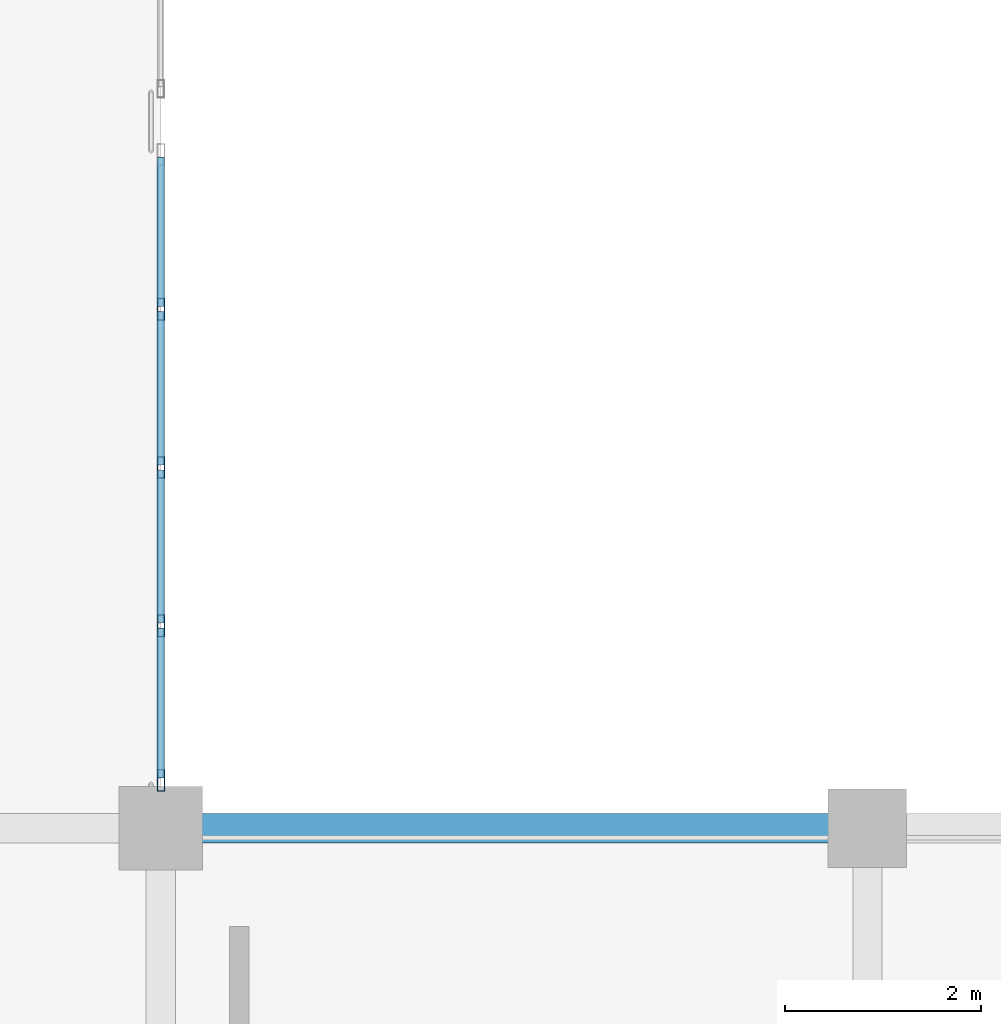
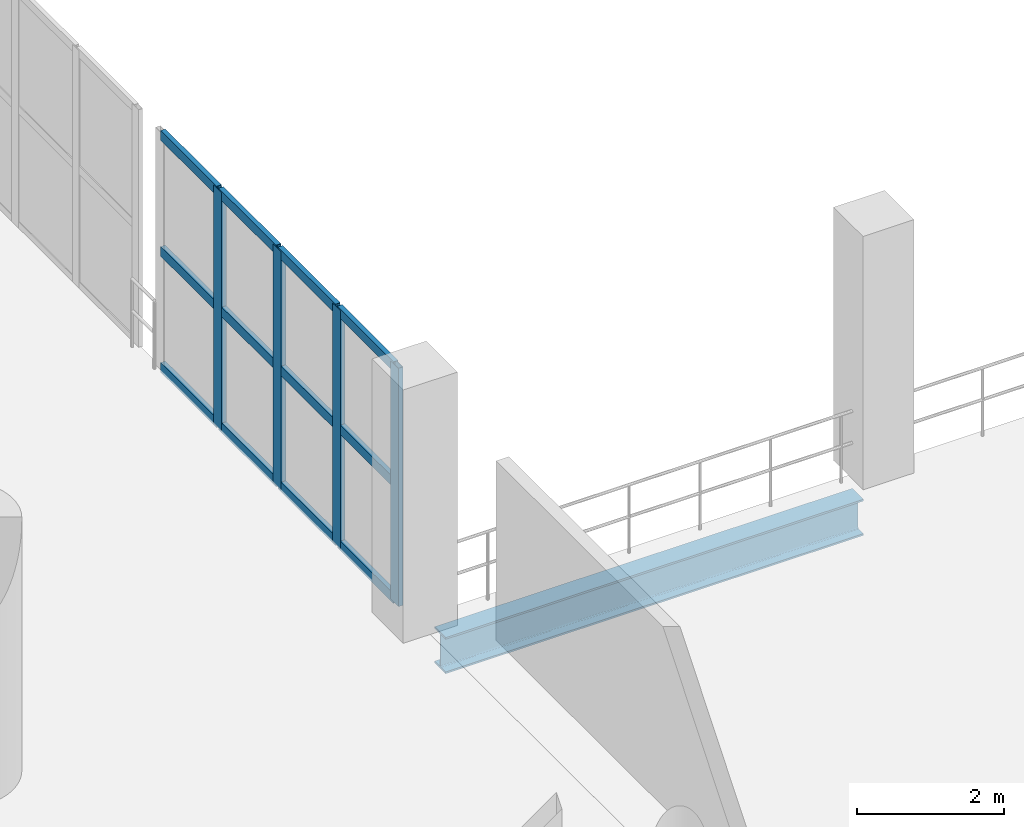
# One storey, part 40 of 153: 16 members, 1 beam, 1 element without a shape of its own.
"""IFC4 building model written with IfcOpenShell, lengths in metres."""

from ifc_helpers import new_model, si_unit, direction, frame, origin, origin_2d, place, context, subcontext, project, spatial, hollow_rectangle, i_section, extrude, material, material_profile, profile_set, type_object, element, aggregate, save


model = new_model("IFC4")

# Units and contexts
model_context = context("Model", 3, precision=1e-05, world=origin(), true_north=direction((0.0, 1.0)))
body_context = subcontext(model_context, "Body", "Model", "MODEL_VIEW")
ifc_project = project(units=[si_unit("LENGTHUNIT", "METRE"), si_unit("AREAUNIT", "SQUARE_METRE"), si_unit("VOLUMEUNIT", "CUBIC_METRE"), si_unit("PLANEANGLEUNIT", "RADIAN"), si_unit("MASSUNIT", "GRAM", prefix="KILO")], contexts=[model_context])

# Site, building, storey
site_placement = place(None, origin())
site = spatial("IfcSite", under=ifc_project, at=site_placement, CompositionType="ELEMENT")
building_placement = place(site_placement, origin())
building = spatial("IfcBuilding", under=site, at=building_placement, Name="Qandorah Velis Arena", CompositionType="ELEMENT")
storey_placement = place(building_placement, frame((0.0, 0.0, 5.39990234375)))
storey = spatial("IfcBuildingStorey", under=building, at=storey_placement, Name="L01", CompositionType="ELEMENT", Elevation=5.39990234375)

# Curtain wall, members
ifc_material_1 = material(Name="Solar-control low-E double glazing", Category="glass")
curtain_wall_type = type_object("IfcCurtainWallType", Name="ARC-CW-SYS09", PredefinedType="USERDEFINED", material=ifc_material_1)
curtain_wall_placement = place(storey_placement, origin())
curtain_wall = element("IfcCurtainWall", 1, at=curtain_wall_placement, inside=storey, type_object=curtain_wall_type, Name="Unitised curtain wall L01-105", ObjectType="UNITISED CURTAIN WALL", PredefinedType="USERDEFINED")
ifc_material_2 = material(Name="Champagne-bronze anodized aluminium 6063-T6", Category="aluminium")
ifc_material_profile_1 = material_profile(ifc_material_2, hollow_rectangle(XDim=0.074951171875, YDim=0.219970703125, WallThickness=0.00390625, at=origin_2d()), Name="ALU MULLION 75x220")
ifc_profile_set_1 = profile_set([ifc_material_profile_1], Name="Champagne-bronze anodized aluminium 6063-T6")
member_type_1 = type_object("IfcMemberType", Name="ARC-CWM-220", PredefinedType="MULLION", material=ifc_profile_set_1)
member_1_placement = place(storey_placement, frame((122.39990234375, 58.08740234375, -0.014892578125), z_axis=(0.0, 0.0, 1.0), x_axis=(-1.0, 0.0, 0.0)))
member_1 = element("IfcMember", 2, at=member_1_placement, type_object=member_type_1, Name="CW09 mullion 1", PredefinedType="MULLION", context=body_context, shape_type="SweptSolid", body=[
    extrude(hollow_rectangle(XDim=0.074951171875, YDim=0.219970703125, WallThickness=0.00390625, at=origin_2d()), origin(), (0.0, 0.0, 1.0), 3.949951171875),
])
member_2_placement = place(storey_placement, frame((122.39990234375, 59.66259765625, -0.014892578125), z_axis=(0.0, 0.0, 1.0), x_axis=(-1.0, 0.0, 0.0)))
member_2 = element("IfcMember", 3, at=member_2_placement, type_object=member_type_1, Name="CW09 mullion 2", PredefinedType="MULLION", context=body_context, shape_type="SweptSolid", body=[
    extrude(hollow_rectangle(XDim=0.074951171875, YDim=0.219970703125, WallThickness=0.00390625, at=origin_2d()), origin(), (0.0, 0.0, 1.0), 3.949951171875),
])
member_3_placement = place(storey_placement, frame((122.39990234375, 61.27490234375, -0.014892578125), z_axis=(0.0, 0.0, 1.0), x_axis=(-1.0, 0.0, 0.0)))
member_3 = element("IfcMember", 4, at=member_3_placement, type_object=member_type_1, Name="CW09 mullion 3", PredefinedType="MULLION", context=body_context, shape_type="SweptSolid", body=[
    extrude(hollow_rectangle(XDim=0.074951171875, YDim=0.219970703125, WallThickness=0.00390625, at=origin_2d()), origin(), (0.0, 0.0, 1.0), 3.949951171875),
])
member_4_placement = place(storey_placement, frame((122.39990234375, 62.887451171875, -0.014892578125), z_axis=(0.0, 0.0, 1.0), x_axis=(-1.0, 0.0, 0.0)))
member_4 = element("IfcMember", 5, at=member_4_placement, type_object=member_type_1, Name="CW09 mullion 4", PredefinedType="MULLION", context=body_context, shape_type="SweptSolid", body=[
    extrude(hollow_rectangle(XDim=0.074951171875, YDim=0.219970703125, WallThickness=0.00390625, at=origin_2d()), origin(), (0.0, 0.0, 1.0), 3.949951171875),
])
ifc_material_profile_2 = material_profile(ifc_material_2, hollow_rectangle(XDim=0.074951171875, YDim=0.159912109375, WallThickness=0.00341796875, at=origin_2d()), Name="ALU TRANSOM 75x160")
ifc_profile_set_2 = profile_set([ifc_material_profile_2], Name="Champagne-bronze anodized aluminium 6063-T6")
member_type_2 = type_object("IfcMemberType", Name="ARC-CWT-160", PredefinedType="USERDEFINED", material=ifc_profile_set_2)
member_5_placement = place(storey_placement, frame((122.39990234375, 58.113037109375, 0.03759765625), z_axis=(0.0, 1.0, 0.0), x_axis=(-1.0, 0.0, 0.0)))
member_5 = element("IfcMember", 6, at=member_5_placement, type_object=member_type_2, Name="CW09 transom 1.1", ObjectType="TRANSOM", PredefinedType="USERDEFINED", context=body_context, shape_type="SweptSolid", body=[
    extrude(hollow_rectangle(XDim=0.074951171875, YDim=0.159912109375, WallThickness=0.00341796875, at=origin_2d()), origin(), (0.0, 0.0, 1.0), 1.52392578125),
])
member_6_placement = place(storey_placement, frame((122.39990234375, 58.113037109375, 1.960205078125), z_axis=(0.0, 1.0, 0.0), x_axis=(-1.0, 0.0, 0.0)))
member_6 = element("IfcMember", 7, at=member_6_placement, type_object=member_type_2, Name="CW09 transom 1.2", ObjectType="TRANSOM", PredefinedType="USERDEFINED", context=body_context, shape_type="SweptSolid", body=[
    extrude(hollow_rectangle(XDim=0.074951171875, YDim=0.159912109375, WallThickness=0.00341796875, at=origin_2d()), origin(), (0.0, 0.0, 1.0), 1.52392578125),
])
member_7_placement = place(storey_placement, frame((122.39990234375, 58.113037109375, 3.882568359375), z_axis=(0.0, 1.0, 0.0), x_axis=(-1.0, 0.0, 0.0)))
member_7 = element("IfcMember", 8, at=member_7_placement, type_object=member_type_2, Name="CW09 transom 1.3", ObjectType="TRANSOM", PredefinedType="USERDEFINED", context=body_context, shape_type="SweptSolid", body=[
    extrude(hollow_rectangle(XDim=0.074951171875, YDim=0.159912109375, WallThickness=0.00341796875, at=origin_2d()), origin(), (0.0, 0.0, 1.0), 1.52392578125),
])
member_8_placement = place(storey_placement, frame((122.39990234375, 59.68798828125, 0.03759765625), z_axis=(0.0, 1.0, 0.0), x_axis=(-1.0, 0.0, 0.0)))
member_8 = element("IfcMember", 9, at=member_8_placement, type_object=member_type_2, Name="CW09 transom 2.1", ObjectType="TRANSOM", PredefinedType="USERDEFINED", context=body_context, shape_type="SweptSolid", body=[
    extrude(hollow_rectangle(XDim=0.074951171875, YDim=0.159912109375, WallThickness=0.00341796875, at=origin_2d()), origin(), (0.0, 0.0, 1.0), 1.5615234375),
])
member_9_placement = place(storey_placement, frame((122.39990234375, 59.68798828125, 1.960205078125), z_axis=(0.0, 1.0, 0.0), x_axis=(-1.0, 0.0, 0.0)))
member_9 = element("IfcMember", 10, at=member_9_placement, type_object=member_type_2, Name="CW09 transom 2.2", ObjectType="TRANSOM", PredefinedType="USERDEFINED", context=body_context, shape_type="SweptSolid", body=[
    extrude(hollow_rectangle(XDim=0.074951171875, YDim=0.159912109375, WallThickness=0.00341796875, at=origin_2d()), origin(), (0.0, 0.0, 1.0), 1.5615234375),
])
member_10_placement = place(storey_placement, frame((122.39990234375, 59.68798828125, 3.882568359375), z_axis=(0.0, 1.0, 0.0), x_axis=(-1.0, 0.0, 0.0)))
member_10 = element("IfcMember", 11, at=member_10_placement, type_object=member_type_2, Name="CW09 transom 2.3", ObjectType="TRANSOM", PredefinedType="USERDEFINED", context=body_context, shape_type="SweptSolid", body=[
    extrude(hollow_rectangle(XDim=0.074951171875, YDim=0.159912109375, WallThickness=0.00341796875, at=origin_2d()), origin(), (0.0, 0.0, 1.0), 1.5615234375),
])
member_11_placement = place(storey_placement, frame((122.39990234375, 61.300537109375, 0.03759765625), z_axis=(0.0, 1.0, 0.0), x_axis=(-1.0, 0.0, 0.0)))
member_11 = element("IfcMember", 12, at=member_11_placement, type_object=member_type_2, Name="CW09 transom 3.1", ObjectType="TRANSOM", PredefinedType="USERDEFINED", context=body_context, shape_type="SweptSolid", body=[
    extrude(hollow_rectangle(XDim=0.074951171875, YDim=0.159912109375, WallThickness=0.00341796875, at=origin_2d()), origin(), (0.0, 0.0, 1.0), 1.5615234375),
])
member_12_placement = place(storey_placement, frame((122.39990234375, 61.300537109375, 1.960205078125), z_axis=(0.0, 1.0, 0.0), x_axis=(-1.0, 0.0, 0.0)))
member_12 = element("IfcMember", 13, at=member_12_placement, type_object=member_type_2, Name="CW09 transom 3.2", ObjectType="TRANSOM", PredefinedType="USERDEFINED", context=body_context, shape_type="SweptSolid", body=[
    extrude(hollow_rectangle(XDim=0.074951171875, YDim=0.159912109375, WallThickness=0.00341796875, at=origin_2d()), origin(), (0.0, 0.0, 1.0), 1.5615234375),
])
member_13_placement = place(storey_placement, frame((122.39990234375, 61.300537109375, 3.882568359375), z_axis=(0.0, 1.0, 0.0), x_axis=(-1.0, 0.0, 0.0)))
member_13 = element("IfcMember", 14, at=member_13_placement, type_object=member_type_2, Name="CW09 transom 3.3", ObjectType="TRANSOM", PredefinedType="USERDEFINED", context=body_context, shape_type="SweptSolid", body=[
    extrude(hollow_rectangle(XDim=0.074951171875, YDim=0.159912109375, WallThickness=0.00341796875, at=origin_2d()), origin(), (0.0, 0.0, 1.0), 1.5615234375),
])
member_14_placement = place(storey_placement, frame((122.39990234375, 62.9130859375, 0.03759765625), z_axis=(0.0, 1.0, 0.0), x_axis=(-1.0, 0.0, 0.0)))
member_14 = element("IfcMember", 15, at=member_14_placement, type_object=member_type_2, Name="CW09 transom 4.1", ObjectType="TRANSOM", PredefinedType="USERDEFINED", context=body_context, shape_type="SweptSolid", body=[
    extrude(hollow_rectangle(XDim=0.074951171875, YDim=0.159912109375, WallThickness=0.00341796875, at=origin_2d()), origin(), (0.0, 0.0, 1.0), 1.52392578125),
])
member_15_placement = place(storey_placement, frame((122.39990234375, 62.9130859375, 1.960205078125), z_axis=(0.0, 1.0, 0.0), x_axis=(-1.0, 0.0, 0.0)))
member_15 = element("IfcMember", 16, at=member_15_placement, type_object=member_type_2, Name="CW09 transom 4.2", ObjectType="TRANSOM", PredefinedType="USERDEFINED", context=body_context, shape_type="SweptSolid", body=[
    extrude(hollow_rectangle(XDim=0.074951171875, YDim=0.159912109375, WallThickness=0.00341796875, at=origin_2d()), origin(), (0.0, 0.0, 1.0), 1.52392578125),
])
member_16_placement = place(storey_placement, frame((122.39990234375, 62.9130859375, 3.882568359375), z_axis=(0.0, 1.0, 0.0), x_axis=(-1.0, 0.0, 0.0)))
member_16 = element("IfcMember", 17, at=member_16_placement, type_object=member_type_2, Name="CW09 transom 4.3", ObjectType="TRANSOM", PredefinedType="USERDEFINED", context=body_context, shape_type="SweptSolid", body=[
    extrude(hollow_rectangle(XDim=0.074951171875, YDim=0.159912109375, WallThickness=0.00341796875, at=origin_2d()), origin(), (0.0, 0.0, 1.0), 1.52392578125),
])
aggregate(curtain_wall, [member_1, member_2, member_3, member_4, member_5, member_6, member_7, member_8, member_9, member_10, member_11, member_12, member_13, member_14, member_15, member_16])

# Beam
ifc_material_3 = material(Name="Steel S355", Category="steel")
ifc_material_profile_3 = material_profile(ifc_material_3, i_section(OverallWidth=0.300048828125, OverallDepth=0.60009765625, WebThickness=0.015380859375, FlangeThickness=0.030029296875, FilletRadius=0.027099609375, at=origin_2d()), Name="HEB 600")
ifc_profile_set_3 = profile_set([ifc_material_profile_3], Name="Steel S355")
beam_type = type_object("IfcBeamType", Name="STR-BM-HEB600", PredefinedType="BEAM", material=ifc_profile_set_3)
beam_placement = place(storey_placement, frame((122.800048828125, 57.60009765625, -0.659912109375), z_axis=(1.0, 0.0, 0.0), x_axis=(0.0, 1.0, 0.0)))
element("IfcBeam", 18, at=beam_placement, inside=storey, type_object=beam_type, Name="Primary floor girder L01 X-102", PredefinedType="BEAM", context=body_context, shape_type="SweptSolid", body=[
    extrude(i_section(OverallWidth=0.300048828125, OverallDepth=0.60009765625, WebThickness=0.015380859375, FlangeThickness=0.030029296875, FilletRadius=0.027099609375, at=origin_2d()), origin(), (0.0, 0.0, 1.0), 6.550048828125),
])

save(model, "model.ifc")
